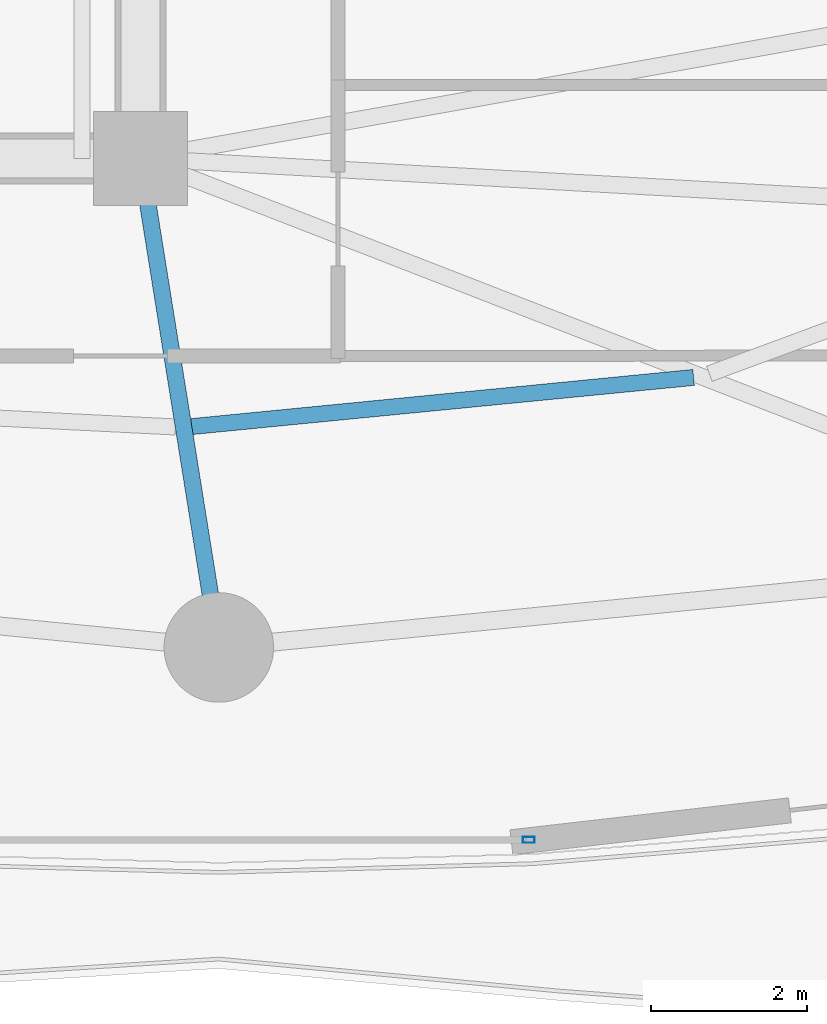
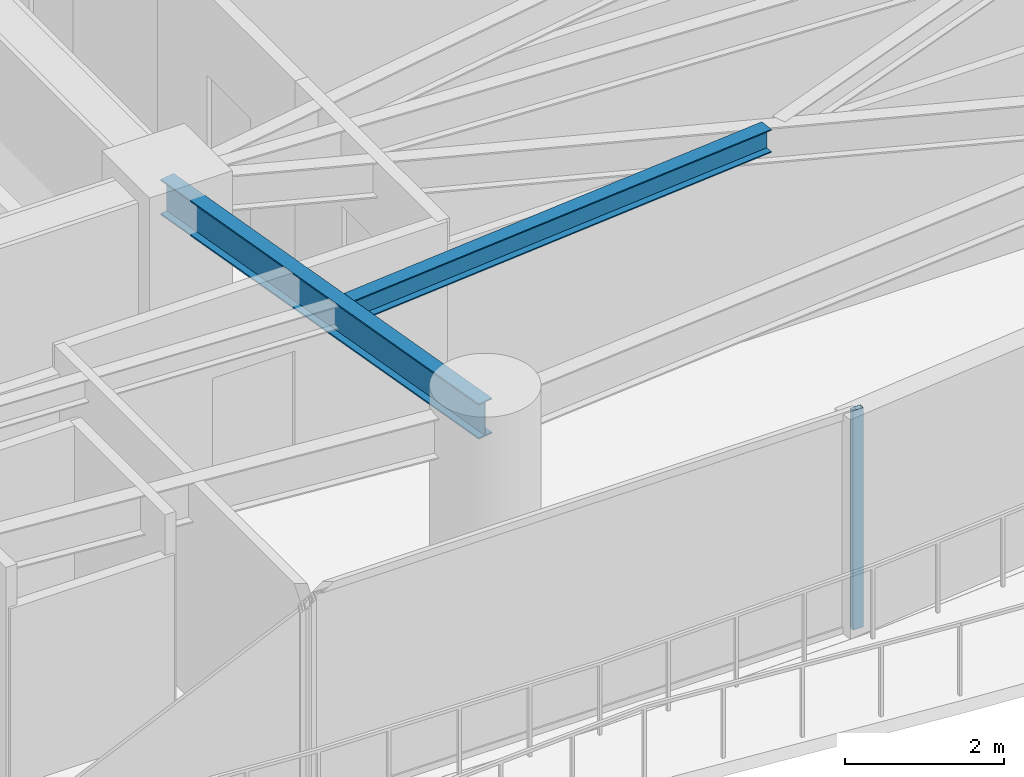
# One storey, part 10 of 31: 2 beams, 1 member, 1 element without a shape of its own.
"""IFC4 building model written with IfcOpenShell, lengths in metres."""

from ifc_helpers import new_model, si_unit, direction, frame, origin, origin_2d, place, context, subcontext, project, spatial, hollow_rectangle, i_section, extrude, material, layer, layer_set, material_profile, profile_set, type_object, element, aggregate, save


model = new_model("IFC4")

# Units and contexts
model_context = context("Model", 3, precision=1e-05, world=origin(), true_north=direction((0.0, 1.0)))
body_context = subcontext(model_context, "Body", "Model", "MODEL_VIEW")
ifc_project = project(units=[si_unit("LENGTHUNIT", "METRE"), si_unit("AREAUNIT", "SQUARE_METRE"), si_unit("VOLUMEUNIT", "CUBIC_METRE"), si_unit("PLANEANGLEUNIT", "RADIAN"), si_unit("MASSUNIT", "GRAM", prefix="KILO")], contexts=[model_context])

# Site, building, storey
site_placement = place(None, origin())
site = spatial("IfcSite", under=ifc_project, at=site_placement, CompositionType="ELEMENT")
building_placement = place(site_placement, origin())
building = spatial("IfcBuilding", under=site, at=building_placement, Name="Kazevale Care Tower and Concert Hall", CompositionType="ELEMENT")
storey_placement = place(building_placement, frame((0.0, 0.0, 63.60009765625)))
storey = spatial("IfcBuildingStorey", under=building, at=storey_placement, Name="L16", CompositionType="ELEMENT", Elevation=63.60009765625)

# Curtain wall, member
ifc_material_1 = material(Name="Aluminium 6063-T6 and Low-E Glass", Category="aluminium")
ifc_layer = layer(ifc_material_1, 0.179931640625)
ifc_layer_set = layer_set([ifc_layer], Name="Aluminium 6063-T6 and Low-E Glass")
curtain_wall_type = type_object("IfcCurtainWallType", Name="Sheltered Concave Balcony Curtain Wall CW-5", PredefinedType="NOTDEFINED", material=ifc_layer_set)
curtain_wall_placement = place(storey_placement, origin())
curtain_wall = element("IfcCurtainWall", 1, at=curtain_wall_placement, inside=storey, type_object=curtain_wall_type, Name="cw:L16:f06", PredefinedType="NOTDEFINED")
ifc_material_2 = material(Name="Aluminium 6063-T6", Category="aluminium")
ifc_material_profile_1 = material_profile(ifc_material_2, hollow_rectangle(XDim=0.074951171875, YDim=0.14990234375, WallThickness=0.00390625, at=origin_2d()), Name="ALU75x150x4")
ifc_profile_set_1 = profile_set([ifc_material_profile_1], Name="Aluminium 6063-T6")
member_type = type_object("IfcMemberType", Name="CW-5 Mullion ALU75x150x4", PredefinedType="MULLION", material=ifc_profile_set_1)
member_placement = place(storey_placement, frame((48.96044921875, 14.889892578125, 0.0), z_axis=(0.0, 0.0, 1.0), x_axis=(0.0, -1.0, 0.0)))
member = element("IfcMember", 2, at=member_placement, type_object=member_type, Name="CW-5 mullion 1", PredefinedType="MULLION", context=body_context, shape_type="SweptSolid", body=[
    extrude(hollow_rectangle(XDim=0.074951171875, YDim=0.14990234375, WallThickness=0.00390625, at=origin_2d()), origin(), (0.0, 0.0, 1.0), 3.35986328125),
])
aggregate(curtain_wall, [member])

# Beams
ifc_material_3 = material(Name="Steel ASTM A572 Gr 50", Category="steel")
ifc_material_profile_2 = material_profile(ifc_material_3, i_section(OverallWidth=0.2119140625, OverallDepth=0.5439453125, WebThickness=0.01318359375, FlangeThickness=0.021240234375, at=origin_2d()), Name="W530x123")
ifc_profile_set_2 = profile_set([ifc_material_profile_2], Name="Steel ASTM A572 Gr 50")
beam_type_1 = type_object("IfcBeamType", Name="Radial Floor Girder W530x123", PredefinedType="BEAM", material=ifc_profile_set_2)
beam_1_placement = place(storey_placement, frame((44.0, 23.60009765625, 3.087890625), z_axis=(0.157990501107, -0.987440631917, 0.0), x_axis=(0.987440631917, 0.157990501107, 0.0)))
element("IfcBeam", 3, at=beam_1_placement, inside=storey, type_object=beam_type_1, Name="beam:L16:rad:13", PredefinedType="BEAM", context=body_context, shape_type="SweptSolid", body=[
    extrude(i_section(OverallWidth=0.2119140625, OverallDepth=0.5439453125, WebThickness=0.01318359375, FlangeThickness=0.021240234375, at=origin_2d()), origin(), (0.0, 0.0, 1.0), 6.32958984375),
])
ifc_material_profile_3 = material_profile(ifc_material_3, i_section(OverallWidth=0.205078125, OverallDepth=0.35400390625, WebThickness=0.009521484375, FlangeThickness=0.016845703125, at=origin_2d()), Name="W360x79")
ifc_profile_set_3 = profile_set([ifc_material_profile_3], Name="Steel ASTM A572 Gr 50")
beam_type_2 = type_object("IfcBeamType", Name="Secondary Floor Joist W360x79", PredefinedType="JOIST", material=ifc_profile_set_3)
beam_2_placement = place(storey_placement, frame((44.654052734375, 20.173095703125, 3.182861328125), z_axis=(0.995242075791, 0.097433108212, 0.0), x_axis=(-0.097433108212, 0.995242075791, 0.0)))
element("IfcBeam", 4, at=beam_2_placement, inside=storey, type_object=beam_type_2, Name="beam:L16:joist:13", PredefinedType="JOIST", context=body_context, shape_type="SweptSolid", body=[
    extrude(i_section(OverallWidth=0.205078125, OverallDepth=0.35400390625, WebThickness=0.009521484375, FlangeThickness=0.016845703125, at=origin_2d()), origin(), (0.0, 0.0, 1.0), 6.44482421875),
])

save(model, "model.ifc")
